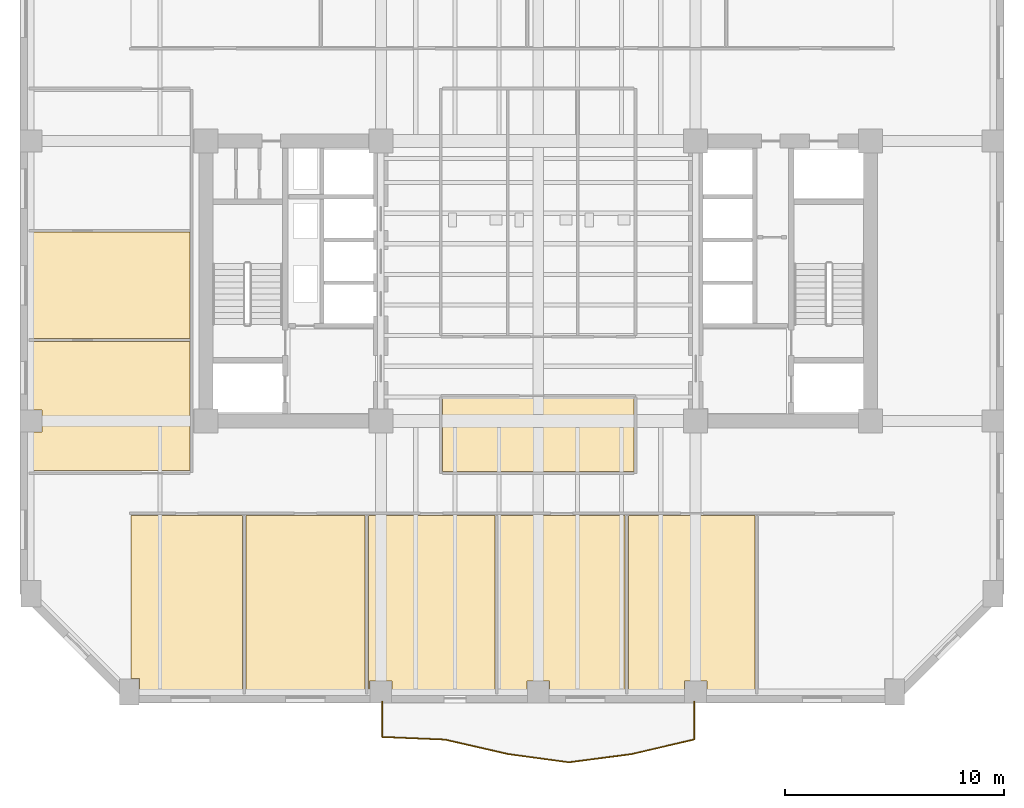
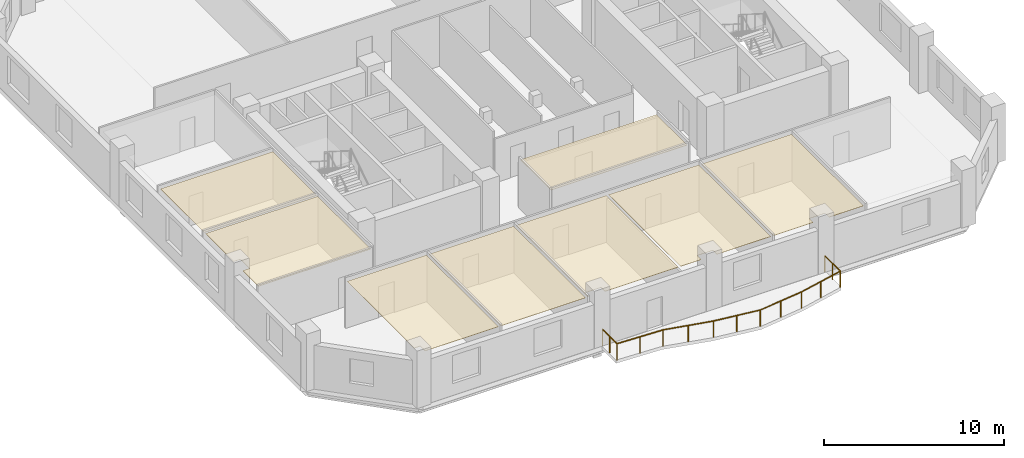
# One storey, part 6 of 10: 8 coverings, 1 railing.
"""IFC4 building model written with IfcOpenShell, lengths in metres."""

from ifc_helpers import new_model, si_unit, direction, frame, origin, origin_2d, place, context, subcontext, project, spatial, polyline, circle, outline, extrude, material, layer, layer_set, type_object, element, save


model = new_model("IFC4")

# Units and contexts
model_context = context("Model", 3, precision=1e-05, world=origin(), true_north=direction((0.0, 1.0)))
body_context = subcontext(model_context, "Body", "Model", "MODEL_VIEW")
ifc_project = project(units=[si_unit("LENGTHUNIT", "METRE"), si_unit("AREAUNIT", "SQUARE_METRE"), si_unit("VOLUMEUNIT", "CUBIC_METRE"), si_unit("PLANEANGLEUNIT", "RADIAN"), si_unit("MASSUNIT", "GRAM", prefix="KILO")], contexts=[model_context])

# Site, building, storey
site_placement = place(None, origin())
site = spatial("IfcSite", under=ifc_project, at=site_placement, CompositionType="ELEMENT")
building_placement = place(site_placement, origin())
building = spatial("IfcBuilding", under=site, at=building_placement, Name="Kranthara Brick Stack", CompositionType="ELEMENT")
storey_placement = place(building_placement, frame((0.0, 0.0, 106.199951171875)))
storey = spatial("IfcBuildingStorey", under=building, at=storey_placement, Name="L26", CompositionType="ELEMENT", Elevation=106.199951171875)

# Coverings
ifc_material_1 = material(Name="Perforated mineral-fibre acoustic ceiling tile", Category="other")
ifc_layer = layer(ifc_material_1, 0.02490234375)
ifc_layer_set = layer_set([ifc_layer], Name="Perforated mineral-fibre acoustic ceiling tile")
covering_type = type_object("IfcCoveringType", Name="COV-CEIL-ACOUSTIC", PredefinedType="CEILING", material=ifc_layer_set)
covering_1_placement = place(storey_placement, frame((0.0, 0.0, 3.179931640625)))
element("IfcCovering", 1, at=covering_1_placement, inside=storey, type_object=covering_type, Name="L26 L26 Central Executive Briefing Room Acoustic Ceiling", PredefinedType="CEILING", context=body_context, shape_type="SweptSolid", body=[
    extrude(outline(polyline([(32.3701171875, 18.47998046875), (32.3701171875, 21.8798828125), (23.6298828125, 21.8798828125), (23.6298828125, 18.47998046875), (32.3701171875, 18.47998046875)])), origin(), (0.0, 0.0, 1.0), 0.025146484375),
])
covering_2_placement = place(storey_placement, frame((0.0, 0.0, 3.179931640625)))
element("IfcCovering", 2, at=covering_2_placement, inside=storey, type_object=covering_type, Name="L26 L26 Executive Cellular Office 1 Acoustic Ceiling", PredefinedType="CEILING", context=body_context, shape_type="SweptSolid", body=[
    extrude(outline(polyline([(9.3798828125, 16.47998046875), (14.469970703125, 16.47998046875), (14.469970703125, 8.469970703125), (9.760009765625, 8.469970703125), (9.760009765625, 9.010009765625), (9.3798828125, 9.010009765625), (9.3798828125, 16.47998046875)])), origin(), (0.0, 0.0, 1.0), 0.025146484375),
])
covering_3_placement = place(storey_placement, frame((0.0, 0.0, 3.179931640625)))
element("IfcCovering", 3, at=covering_3_placement, inside=storey, type_object=covering_type, Name="L26 L26 Executive Cellular Office 2 Acoustic Ceiling", PredefinedType="CEILING", context=body_context, shape_type="SweptSolid", body=[
    extrude(outline(polyline([(20.070068359375, 8.469970703125), (20.070068359375, 16.47998046875), (14.6298828125, 16.47998046875), (14.6298828125, 8.469970703125), (20.070068359375, 8.469970703125)])), origin(), (0.0, 0.0, 1.0), 0.025146484375),
])
covering_4_placement = place(storey_placement, frame((0.0, 0.0, 3.179931640625)))
element("IfcCovering", 4, at=covering_4_placement, inside=storey, type_object=covering_type, Name="L26 L26 Executive Cellular Office 3 Acoustic Ceiling", PredefinedType="CEILING", context=body_context, shape_type="SweptSolid", body=[
    extrude(outline(polyline([(20.22998046875, 8.469970703125), (20.22998046875, 16.47998046875), (26.02001953125, 16.47998046875), (26.02001953125, 8.469970703125), (21.31005859375, 8.469970703125), (21.31005859375, 8.909912109375), (20.2900390625, 8.909912109375), (20.2900390625, 8.469970703125), (20.22998046875, 8.469970703125)])), origin(), (0.0, 0.0, 1.0), 0.025146484375),
])
covering_5_placement = place(storey_placement, frame((0.0, 0.0, 3.179931640625)))
element("IfcCovering", 5, at=covering_5_placement, inside=storey, type_object=covering_type, Name="L26 L26 Executive Cellular Office 4 Acoustic Ceiling", PredefinedType="CEILING", context=body_context, shape_type="SweptSolid", body=[
    extrude(outline(polyline([(26.179931640625, 8.469970703125), (26.179931640625, 16.47998046875), (31.969970703125, 16.47998046875), (31.969970703125, 8.469970703125), (28.510009765625, 8.469970703125), (28.510009765625, 8.909912109375), (27.489990234375, 8.909912109375), (27.489990234375, 8.469970703125), (26.179931640625, 8.469970703125)])), origin(), (0.0, 0.0, 1.0), 0.025146484375),
])
covering_6_placement = place(storey_placement, frame((0.0, 0.0, 3.179931640625)))
element("IfcCovering", 6, at=covering_6_placement, inside=storey, type_object=covering_type, Name="L26 L26 Meeting Room 5 Acoustic Ceiling", PredefinedType="CEILING", context=body_context, shape_type="SweptSolid", body=[
    extrude(outline(polyline([(32.1298828125, 8.469970703125), (32.1298828125, 16.47998046875), (37.919921875, 16.47998046875), (37.919921875, 8.469970703125), (35.7099609375, 8.469970703125), (35.7099609375, 8.909912109375), (34.68994140625, 8.909912109375), (34.68994140625, 8.469970703125), (32.1298828125, 8.469970703125)])), origin(), (0.0, 0.0, 1.0), 0.025146484375),
])
covering_7_placement = place(storey_placement, frame((0.0, 0.0, 3.179931640625)))
element("IfcCovering", 7, at=covering_7_placement, inside=storey, type_object=covering_type, Name="L26 L26 West Executive Office 1 Acoustic Ceiling", PredefinedType="CEILING", context=body_context, shape_type="SweptSolid", body=[
    extrude(outline(polyline([(4.8701171875, 24.43994140625), (12.080078125, 24.43994140625), (12.080078125, 18.5400390625), (4.8701171875, 18.5400390625), (4.8701171875, 20.2900390625), (5.31005859375, 20.2900390625), (5.31005859375, 21.31005859375), (4.8701171875, 21.31005859375), (4.8701171875, 24.43994140625)])), origin(), (0.0, 0.0, 1.0), 0.025146484375),
])
covering_8_placement = place(storey_placement, frame((0.0, 0.0, 3.179931640625)))
element("IfcCovering", 8, at=covering_8_placement, inside=storey, type_object=covering_type, Name="L26 L26 West Executive Office 2 Acoustic Ceiling", PredefinedType="CEILING", context=body_context, shape_type="SweptSolid", body=[
    extrude(outline(polyline([(12.080078125, 24.56005859375), (12.080078125, 29.43994140625), (4.8701171875, 29.43994140625), (4.8701171875, 24.56005859375), (12.080078125, 24.56005859375)])), origin(), (0.0, 0.0, 1.0), 0.025146484375),
])

# Railing
ifc_material_2 = material(Name="Bronze anodised aluminium and laminated glass balustrade", Category="aluminium")
railing_type = type_object("IfcRailingType", Name="RL-BALC-1120", PredefinedType="BALUSTRADE", material=ifc_material_2)
railing_placement = place(storey_placement, frame((35.139892578125, 7.9599609375, 0.0)))
element("IfcRailing", 9, at=railing_placement, inside=storey, type_object=railing_type, Name="L26 South Rippling Balcony Balustrade", PredefinedType="BALUSTRADE", context=body_context, shape_type="SweptSolid", body=[
    extrude(circle(Radius=0.02392578125, at=origin_2d()), frame((0.0, 0.0, 1.09619140625), z_axis=(0.0, -1.0, 0.0), x_axis=(1.0, 0.0, 0.0)), (0.0, 0.0, 1.0), 1.7265625),
    extrude(circle(Radius=0.02392578125, at=origin_2d()), frame((0.0, -1.7265625, 1.09619140625), z_axis=(-0.973740003019, -0.227662923026, 0.0), x_axis=(0.227662923026, -0.973740003019, 0.0)), (0.0, 0.0, 1.0), 2.95654296875),
    extrude(circle(Radius=0.02392578125, at=origin_2d()), frame((-2.87890625, -2.399658203125, 1.09619140625), z_axis=(-0.991694330256, -0.128617088051, 0.0), x_axis=(0.128617088051, -0.991694330256, 0.0)), (0.0, 0.0, 1.0), 2.890869140625),
    extrude(circle(Radius=0.02392578125, at=origin_2d()), frame((-5.745849609375, -2.771484375, 1.09619140625), z_axis=(-0.990896727609, 0.134624199959, 0.0), x_axis=(-0.134624199959, -0.990896727609, 0.0)), (0.0, 0.0, 1.0), 2.807373046875),
    extrude(circle(Radius=0.02392578125, at=origin_2d()), frame((-8.527587890625, -2.3935546875, 1.09619140625), z_axis=(-0.974716908029, 0.223443391496, 0.0), x_axis=(-0.223443391496, -0.974716908029, 0.0)), (0.0, 0.0, 1.0), 2.94677734375),
    extrude(circle(Radius=0.02392578125, at=origin_2d()), frame((-11.39990234375, -1.735107421875, 1.09619140625), z_axis=(-0.999117146982, 0.042011029578, 0.0), x_axis=(-0.042011029578, -0.999117146982, 0.0)), (0.0, 0.0, 1.0), 2.88232421875),
    extrude(circle(Radius=0.02392578125, at=origin_2d()), frame((-14.27978515625, -1.614013671875, 1.09619140625), z_axis=(0.0, 1.0, 0.0), x_axis=(-1.0, 0.0, 0.0)), (0.0, 0.0, 1.0), 1.614013671875),
    extrude(circle(Radius=0.02099609375, at=origin_2d()), origin(), (0.0, 0.0, 1.0), 1.072021484375),
    extrude(circle(Radius=0.02099609375, at=origin_2d()), frame((0.0, -0.86328125, 0.0)), (0.0, 0.0, 1.0), 1.072021484375),
    extrude(circle(Radius=0.02099609375, at=origin_2d()), frame((0.0, -1.7265625, 0.0)), (0.0, 0.0, 1.0), 1.072021484375),
    extrude(circle(Radius=0.02099609375, at=origin_2d()), frame((-1.439453125, -2.06298828125, 0.0)), (0.0, 0.0, 1.0), 1.072021484375),
    extrude(circle(Radius=0.02099609375, at=origin_2d()), frame((-2.87890625, -2.399658203125, 0.0)), (0.0, 0.0, 1.0), 1.072021484375),
    extrude(circle(Radius=0.02099609375, at=origin_2d()), frame((-4.3125, -2.58544921875, 0.0)), (0.0, 0.0, 1.0), 1.072021484375),
    extrude(circle(Radius=0.02099609375, at=origin_2d()), frame((-5.745849609375, -2.771484375, 0.0)), (0.0, 0.0, 1.0), 1.072021484375),
    extrude(circle(Radius=0.02099609375, at=origin_2d()), frame((-7.13671875, -2.58251953125, 0.0)), (0.0, 0.0, 1.0), 1.072021484375),
    extrude(circle(Radius=0.02099609375, at=origin_2d()), frame((-8.527587890625, -2.3935546875, 0.0)), (0.0, 0.0, 1.0), 1.072021484375),
    extrude(circle(Radius=0.02099609375, at=origin_2d()), frame((-9.9638671875, -2.064453125, 0.0)), (0.0, 0.0, 1.0), 1.072021484375),
    extrude(circle(Radius=0.02099609375, at=origin_2d()), frame((-11.39990234375, -1.735107421875, 0.0)), (0.0, 0.0, 1.0), 1.072021484375),
    extrude(circle(Radius=0.02099609375, at=origin_2d()), frame((-12.83984375, -1.674560546875, 0.0)), (0.0, 0.0, 1.0), 1.072021484375),
    extrude(circle(Radius=0.02099609375, at=origin_2d()), frame((-14.27978515625, -1.614013671875, 0.0)), (0.0, 0.0, 1.0), 1.072021484375),
    extrude(circle(Radius=0.02099609375, at=origin_2d()), frame((-14.27978515625, -0.80712890625, 0.0)), (0.0, 0.0, 1.0), 1.072021484375),
    extrude(circle(Radius=0.02099609375, at=origin_2d()), frame((-14.27978515625, 0.0, 0.0)), (0.0, 0.0, 1.0), 1.072021484375),
])

save(model, "model.ifc")
